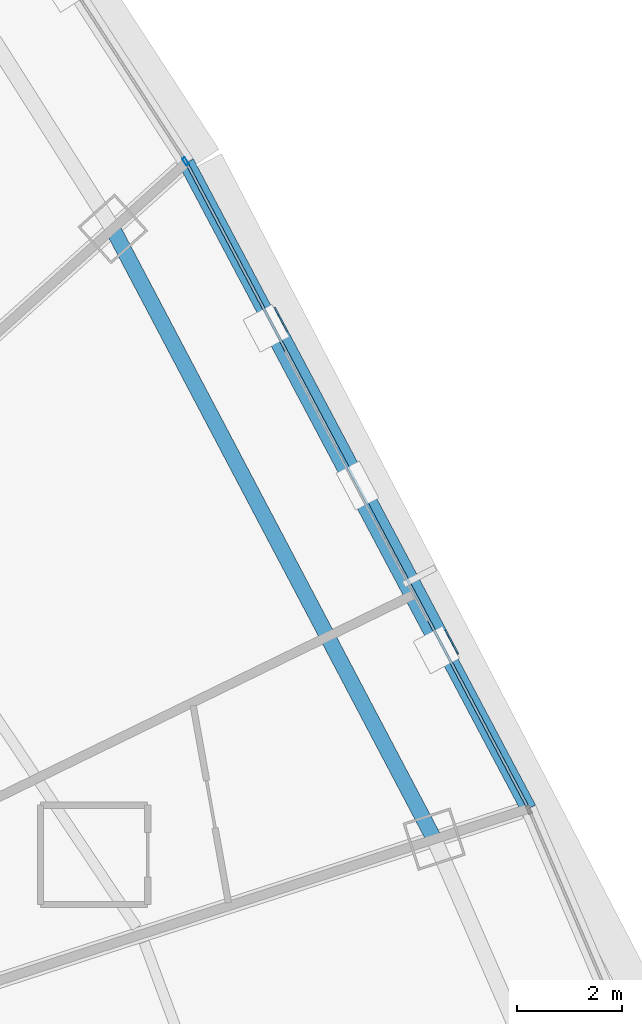
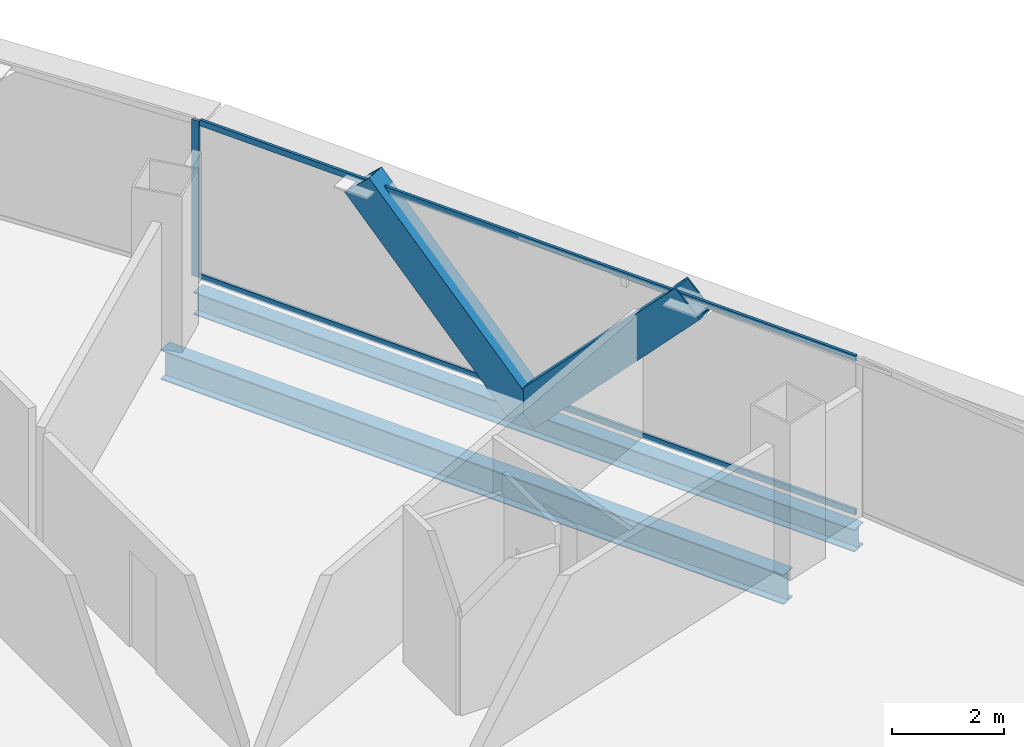
# One storey, part 27 of 42: 5 members, 2 beams, 2 elements without a shape of their own.
"""IFC4 building model written with IfcOpenShell, lengths in metres."""

from ifc_helpers import new_model, si_unit, direction, frame, origin, origin_2d, place, context, subcontext, project, spatial, hollow_rectangle, i_section, extrude, source, transform, mapped, material, layer, layer_set, material_profile, profile_set, type_object, element, aggregate, save


model = new_model("IFC4")

# Units and contexts
model_context = context("Model", 3, precision=1e-05, world=origin(), true_north=direction((0.0, 1.0)))
body_context = subcontext(model_context, "Body", "Model", "MODEL_VIEW")
ifc_project = project(units=[si_unit("LENGTHUNIT", "METRE"), si_unit("AREAUNIT", "SQUARE_METRE"), si_unit("VOLUMEUNIT", "CUBIC_METRE"), si_unit("PLANEANGLEUNIT", "RADIAN"), si_unit("MASSUNIT", "GRAM", prefix="KILO"), si_unit("THERMODYNAMICTEMPERATUREUNIT", "KELVIN"), si_unit("POWERUNIT", "WATT")], contexts=[model_context])

# Site, building, storey
site_placement = place(None, origin())
site = spatial("IfcSite", under=ifc_project, at=site_placement, CompositionType="ELEMENT")
building_placement = place(site_placement, origin())
building = spatial("IfcBuilding", under=site, at=building_placement, Name="Yunzhuo Pagoda Commons", CompositionType="ELEMENT")
storey_placement = place(building_placement, frame((0.0, 0.0, 137.18994140625)))
storey = spatial("IfcBuildingStorey", under=building, at=storey_placement, Name="L34", CompositionType="ELEMENT", Elevation=137.18994140625)

# Beams
ifc_material_1 = material(Name="Structural steel Q355B", Category="steel")
ifc_material_profile_1 = material_profile(ifc_material_1, i_section(OverallWidth=0.300048828125, OverallDepth=0.488037109375, WebThickness=0.010986328125, FlangeThickness=0.01806640625, at=origin_2d()), Name="Structural steel Q355B")
ifc_profile_set_1 = profile_set([ifc_material_profile_1], Name="Structural steel Q355B")
beam_type_1 = type_object("IfcBeamType", Name="B-SP1 Beam HM 488x300x11x18", PredefinedType="BEAM", material=ifc_profile_set_1)
shared_shape_1 = source(origin(), body_context, "Body", "SweptSolid", [
    extrude(i_section(OverallWidth=0.300048828125, OverallDepth=0.488037109375, WebThickness=0.010986328125, FlangeThickness=0.01806640625, at=origin_2d()), origin(), (0.0, 0.0, 1.0), 13.98681640625),
])
beam_1_placement = place(storey_placement, frame((79.720458984375, 44.006591796875, -0.50390625), z_axis=(-0.468057733589, 0.883697888437, 0.0), x_axis=(-0.883697888437, -0.468057733589, 0.0)))
element("IfcBeam", 1, at=beam_1_placement, inside=storey, type_object=beam_type_1, Name="L34 facade edge spandrel beam F2.2", PredefinedType="BEAM", context=body_context, shape_type="MappedRepresentation", body=[
    mapped(shared_shape_1, transform((0.0, 0.0, 0.0), scale=1.0)),
])
ifc_material_profile_2 = material_profile(ifc_material_1, i_section(OverallWidth=0.300048828125, OverallDepth=0.64990234375, WebThickness=0.012939453125, FlangeThickness=0.02197265625, at=origin_2d()), Name="Structural steel Q355B")
ifc_profile_set_2 = profile_set([ifc_material_profile_2], Name="Structural steel Q355B")
beam_type_2 = type_object("IfcBeamType", Name="B-RG2 Beam HN 650x300x13x22", PredefinedType="BEAM", material=ifc_profile_set_2)
shared_shape_2 = source(origin(), body_context, "Body", "SweptSolid", [
    extrude(i_section(OverallWidth=0.300048828125, OverallDepth=0.64990234375, WebThickness=0.012939453125, FlangeThickness=0.02197265625, at=origin_2d()), origin(), (0.0, 0.0, 1.0), 13.198974609375),
])
beam_2_placement = place(storey_placement, frame((77.915283203125, 43.420166015625, -0.584716796875), z_axis=(-0.465885937554, 0.884844784801, 0.0), x_axis=(-0.884844784801, -0.465885937554, 0.0)))
element("IfcBeam", 2, at=beam_2_placement, inside=storey, type_object=beam_type_2, Name="L34 column-ring beam 6", PredefinedType="BEAM", context=body_context, shape_type="MappedRepresentation", body=[
    mapped(shared_shape_2, transform((0.0, 0.0, 0.0), scale=1.0)),
])

# Members
ifc_material_2 = material(Name="Structural steel Q420B", Category="steel")
ifc_material_profile_3 = material_profile(ifc_material_2, hollow_rectangle(XDim=0.419921875, YDim=0.719970703125, WallThickness=0.028076171875, at=origin_2d()), Name="Structural steel Q420B")
ifc_profile_set_3 = profile_set([ifc_material_profile_3], Name="Structural steel Q420B")
member_type_1 = type_object("IfcMemberType", Name="M-DL1 Brace BOX 720x420x28", PredefinedType="BRACE", material=ifc_profile_set_3)
shared_shape_3 = source(origin(), body_context, "Body", "SweptSolid", [
    extrude(hollow_rectangle(XDim=0.419921875, YDim=0.719970703125, WallThickness=0.028076171875, at=origin_2d()), origin(), (0.0, 0.0, 1.0), 5.076416015625),
])
for number, where, z_axis, x_axis, name in (
    (3, (76.447265625, 50.1865234375, -0.260009765625), (0.32237512415, -0.608679631694, 0.724971299632), (0.883708076265, 0.468038498357, 0.0), "L34 facade diamond brace F2.2L"),
    (4, (76.447265625, 50.1865234375, -0.260009765625), (-0.322408780968, 0.608700468484, 0.724938837159), (-0.883694492721, -0.468064144679, 0.0), "L34 facade diamond brace F2.2R"),
):
    element("IfcMember", number, at=place(storey_placement, frame(where, z_axis=z_axis, x_axis=x_axis)), inside=storey, type_object=member_type_1, Name=name, PredefinedType="BRACE", context=body_context, shape_type="MappedRepresentation", body=[
        mapped(shared_shape_3, transform((0.0, 0.0, 0.0), scale=1.0)),
    ])

# Curtain wall, members
ifc_material_3 = material(Name="Anodized aluminium 6063-T6", Category="aluminium")
ifc_layer = layer(ifc_material_3, 0.14990234375)
ifc_layer_set = layer_set([ifc_layer], Name="Anodized aluminium 6063-T6")
curtain_wall_type = type_object("IfcCurtainWallType", Name="CW-MID Mid-Zone Ribbon Curtain Wall", PredefinedType="NOTDEFINED", material=ifc_layer_set)
curtain_wall_1_placement = place(storey_placement, origin())
curtain_wall_1 = element("IfcCurtainWall", 5, at=curtain_wall_1_placement, inside=storey, type_object=curtain_wall_type, Name="L34 curtain wall CW-L34-F2B3", PredefinedType="NOTDEFINED")
ifc_material_profile_4 = material_profile(ifc_material_3, hollow_rectangle(XDim=0.054931640625, YDim=0.1298828125, WallThickness=0.00341796875, at=origin_2d()), Name="Anodized aluminium 6063-T6")
ifc_profile_set_4 = profile_set([ifc_material_profile_4], Name="Anodized aluminium 6063-T6")
member_type_2 = type_object("IfcMemberType", Name="CW-MID-T Transom RHS 130x55x3.5", PredefinedType="USERDEFINED", material=ifc_profile_set_4)
shared_shape_4 = source(origin(), body_context, "Body", "SweptSolid", [
    extrude(hollow_rectangle(XDim=0.054931640625, YDim=0.1298828125, WallThickness=0.00341796875, at=origin_2d()), origin(), (0.0, 0.0, 1.0), 13.86669921875),
])
member_1_placement = place(storey_placement, frame((79.6923828125, 44.0595703125, 0.027587890625), z_axis=(-0.468063250671, 0.883694966247, 0.0), x_axis=(-0.883694966247, -0.468063250671, 0.0)))
member_1 = element("IfcMember", 6, at=member_1_placement, type_object=member_type_2, Name="CW transom 1.1", ObjectType="TRANSOM", PredefinedType="USERDEFINED", context=body_context, shape_type="MappedRepresentation", body=[
    mapped(shared_shape_4, transform((0.0, 0.0, 0.0), scale=1.0)),
])
member_2_placement = place(storey_placement, frame((79.6923828125, 44.0595703125, 3.392822265625), z_axis=(-0.468063250671, 0.883694966247, 0.0), x_axis=(-0.883694966247, -0.468063250671, 0.0)))
member_2 = element("IfcMember", 7, at=member_2_placement, type_object=member_type_2, Name="CW transom 1.2", ObjectType="TRANSOM", PredefinedType="USERDEFINED", context=body_context, shape_type="MappedRepresentation", body=[
    mapped(shared_shape_4, transform((0.0, 0.0, 0.0), scale=1.0)),
])
aggregate(curtain_wall_1, [member_1, member_2])

# Curtain wall, member
curtain_wall_2_placement = place(storey_placement, origin())
curtain_wall_2 = element("IfcCurtainWall", 8, at=curtain_wall_2_placement, inside=storey, type_object=curtain_wall_type, Name="L34 curtain wall CW-L34-F2B4", PredefinedType="NOTDEFINED")
ifc_material_profile_5 = material_profile(ifc_material_3, hollow_rectangle(XDim=0.06005859375, YDim=0.14990234375, WallThickness=0.00390625, at=origin_2d()), Name="Anodized aluminium 6063-T6")
ifc_profile_set_5 = profile_set([ifc_material_profile_5], Name="Anodized aluminium 6063-T6")
member_type_3 = type_object("IfcMemberType", Name="CW-MID-M Mullion RHS 150x60x4", PredefinedType="MULLION", material=ifc_profile_set_5)
shared_shape_5 = source(origin(), body_context, "Body", "SweptSolid", [
    extrude(hollow_rectangle(XDim=0.06005859375, YDim=0.14990234375, WallThickness=0.00390625, at=origin_2d()), origin(), (0.0, 0.0, 1.0), 3.420166015625),
])
member_3_placement = place(storey_placement, frame((73.157470703125, 56.391845703125, 0.0), z_axis=(0.0, 0.0, 1.0), x_axis=(-0.839249165596, -0.543747034977, 0.0)))
member_3 = element("IfcMember", 9, at=member_3_placement, type_object=member_type_3, Name="CW mullion 1", PredefinedType="MULLION", context=body_context, shape_type="MappedRepresentation", body=[
    mapped(shared_shape_5, transform((0.0, 0.0, 0.0), scale=1.0)),
])
aggregate(curtain_wall_2, [member_3])

save(model, "model.ifc")
